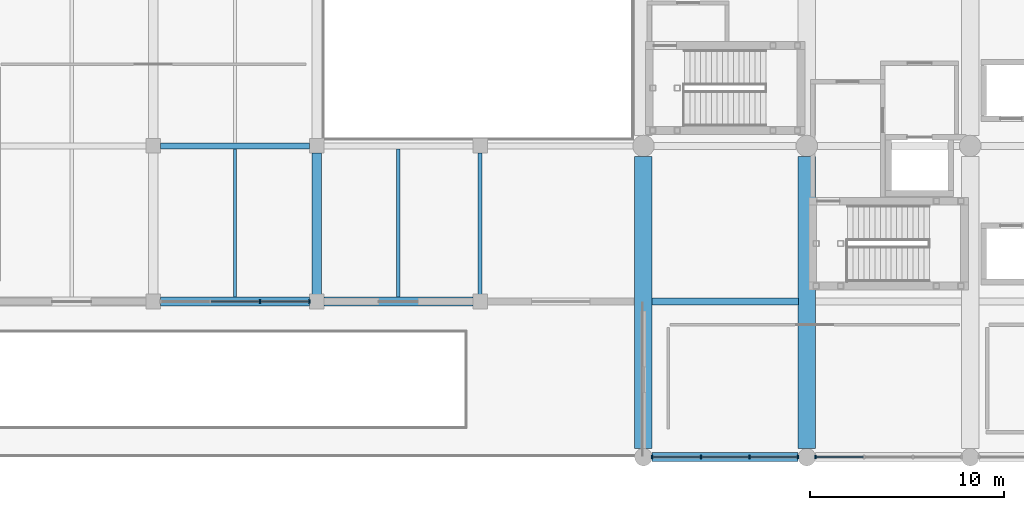
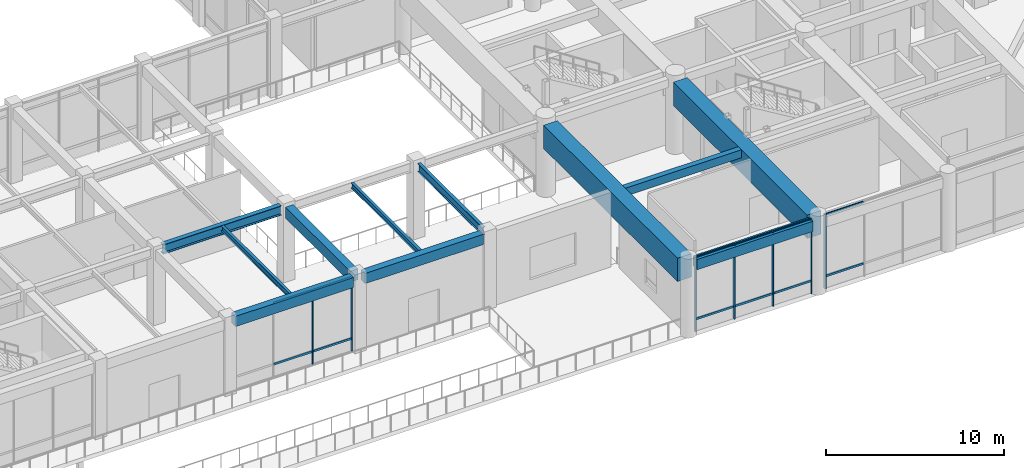
# One storey, part 25 of 79: 19 members, 11 beams, 3 elements without a shape of their own.
"""IFC4 building model written with IfcOpenShell, lengths in metres."""

from ifc_helpers import new_model, si_unit, direction, frame, origin, origin_2d, place, context, subcontext, project, spatial, rectangle, i_section, extrude, material, layer, layer_set, material_profile, profile_set, type_object, element, aggregate, save


model = new_model("IFC4")

# Units and contexts
model_context = context("Model", 3, precision=1e-05, world=origin(), true_north=direction((0.0, 1.0)))
body_context = subcontext(model_context, "Body", "Model", "MODEL_VIEW")
ifc_project = project(units=[si_unit("LENGTHUNIT", "METRE"), si_unit("AREAUNIT", "SQUARE_METRE"), si_unit("VOLUMEUNIT", "CUBIC_METRE"), si_unit("PLANEANGLEUNIT", "RADIAN"), si_unit("MASSUNIT", "GRAM", prefix="KILO")], contexts=[model_context])

# Site, building, storey
site_placement = place(None, origin())
site = spatial("IfcSite", under=ifc_project, at=site_placement, CompositionType="ELEMENT")
building_placement = place(site_placement, origin())
building = spatial("IfcBuilding", under=site, at=building_placement, Name="Naruveol Harbour Congress Hotel", CompositionType="ELEMENT")
storey_placement = place(building_placement, frame((0.0, 0.0, 6.0)))
storey = spatial("IfcBuildingStorey", under=building, at=storey_placement, Name="L01", CompositionType="ELEMENT", Elevation=6.0)

# Beams
ifc_material_1 = material(Name="Concrete C40/50", Category="concrete")
ifc_material_profile_1 = material_profile(ifc_material_1, rectangle(XDim=0.5, YDim=0.75, at=origin_2d()), Name="RCB-500x750")
ifc_profile_set_1 = profile_set([ifc_material_profile_1], Name="Concrete C40/50")
beam_type_1 = type_object("IfcBeamType", Name="RC FLOOR GIRDER 500X750", PredefinedType="BEAM", material=ifc_profile_set_1)
beam_1_placement = place(storey_placement, frame((100.800048828125, 8.37109375, 4.77490234375), z_axis=(0.0, 1.0, 0.0), x_axis=(-1.0, 0.0, 0.0)))
element("IfcBeam", 1, at=beam_1_placement, inside=storey, type_object=beam_type_1, Name="Transverse girder L02 CB3", PredefinedType="BEAM", context=body_context, shape_type="SweptSolid", body=[
    extrude(rectangle(XDim=0.5, YDim=0.75, at=origin_2d()), origin(), (0.0, 0.0, 1.0), 7.2578125),
])
ifc_material_2 = material(Name="Concrete C40/50", Category="concrete")
ifc_material_profile_2 = material_profile(ifc_material_2, rectangle(XDim=0.35009765625, YDim=0.550048828125, at=origin_2d()), Name="RCB-350x550")
ifc_profile_set_2 = profile_set([ifc_material_profile_2], Name="Concrete C40/50")
beam_type_2 = type_object("IfcBeamType", Name="RC SECONDARY BEAM 350X550", PredefinedType="JOIST", material=ifc_profile_set_2)
beam_2_placement = place(storey_placement, frame((118.041015625, 8.0, 4.77490234375), z_axis=(1.0, 0.0, 0.0), x_axis=(0.0, 1.0, 0.0)))
element("IfcBeam", 2, at=beam_2_placement, inside=storey, type_object=beam_type_2, Name="Hotel chord beam L02 CJ1", PredefinedType="JOIST", context=body_context, shape_type="SweptSolid", body=[
    extrude(rectangle(XDim=0.35009765625, YDim=0.550048828125, at=origin_2d()), origin(), (0.0, 0.0, 1.0), 7.51806640625),
])
ifc_material_3 = material(Name="Concrete C40/50", Category="concrete")
ifc_material_profile_3 = material_profile(ifc_material_3, rectangle(XDim=0.449951171875, YDim=0.699951171875, at=origin_2d()), Name="RCB-450x700")
ifc_profile_set_3 = profile_set([ifc_material_profile_3], Name="Concrete C40/50")
beam_type_3 = type_object("IfcBeamType", Name="RC SPANDREL BEAM 450X700", PredefinedType="SPANDREL", material=ifc_profile_set_3)
beam_3_placement = place(storey_placement, frame((92.77099609375, 8.0, 4.800048828125), z_axis=(1.0, 0.0, 0.0), x_axis=(0.0, 1.0, 0.0)))
element("IfcBeam", 3, at=beam_3_placement, inside=storey, type_object=beam_type_3, Name="Floor girder L02 SPB1", PredefinedType="SPANDREL", context=body_context, shape_type="SweptSolid", body=[
    extrude(rectangle(XDim=0.449951171875, YDim=0.699951171875, at=origin_2d()), origin(), (0.0, 0.0, 1.0), 7.657958984375),
])
beam_4_placement = place(storey_placement, frame((101.1708984375, 8.0, 4.800048828125), z_axis=(1.0, 0.0, 0.0), x_axis=(0.0, 1.0, 0.0)))
element("IfcBeam", 4, at=beam_4_placement, inside=storey, type_object=beam_type_3, Name="Floor girder L02 SPB1", PredefinedType="SPANDREL", context=body_context, shape_type="SweptSolid", body=[
    extrude(rectangle(XDim=0.449951171875, YDim=0.699951171875, at=origin_2d()), origin(), (0.0, 0.0, 1.0), 7.658203125),
])
beam_5_placement = place(storey_placement, frame((118.0458984375, 0.0, 4.699951171875), z_axis=(1.0, 0.0, 0.0), x_axis=(0.0, 1.0, 0.0)))
element("IfcBeam", 5, at=beam_5_placement, inside=storey, type_object=beam_type_3, Name="Hotel chord beam L02 SPB1", PredefinedType="SPANDREL", context=body_context, shape_type="SweptSolid", body=[
    extrude(rectangle(XDim=0.449951171875, YDim=0.699951171875, at=origin_2d()), origin(), (0.0, 0.0, 1.0), 7.508056640625),
])
ifc_material_4 = material(Name="Concrete C50/60", Category="concrete")
ifc_material_profile_4 = material_profile(ifc_material_4, rectangle(XDim=0.89990234375, YDim=1.60009765625, at=origin_2d()), Name="RCB-900x1600")
ifc_profile_set_4 = profile_set([ifc_material_profile_4], Name="Concrete C50/60")
beam_type_4 = type_object("IfcBeamType", Name="RC TRANSFER GIRDER 900X1600", PredefinedType="BEAM", material=ifc_profile_set_4)
for number, where, z_axis, x_axis, name in (
    (6, (117.60009765625, 0.446044921875, 4.25), (0.0, 1.0, 0.0), (-1.0, 0.0, 0.0), "Hotel L02 transfer girder S0 TG1"),
    (7, (126.0, 0.446044921875, 4.25), (0.0, 1.0, 0.0), (-1.0, 0.0, 0.0), "Hotel L02 transfer girder S1 TG1"),
):
    element("IfcBeam", number, at=place(storey_placement, frame(where, z_axis=z_axis, x_axis=x_axis)), inside=storey, type_object=beam_type_4, Name=name, PredefinedType="BEAM", context=body_context, shape_type="SweptSolid", body=[
        extrude(rectangle(XDim=0.89990234375, YDim=1.60009765625, at=origin_2d()), origin(), (0.0, 0.0, 1.0), 15.008056640625),
    ])
ifc_material_5 = material(Name="Steel SN490", Category="steel")
ifc_material_profile_5 = material_profile(ifc_material_5, i_section(OverallWidth=0.300048828125, OverallDepth=0.64990234375, WebThickness=0.012939453125, FlangeThickness=0.02392578125, at=origin_2d()), Name="H-650x300x13x24")
ifc_profile_set_5 = profile_set([ifc_material_profile_5], Name="Steel SN490")
beam_type_5 = type_object("IfcBeamType", Name="STEEL ATRIUM TIE GIRDER H650", PredefinedType="BEAM", material=ifc_profile_set_5)
beam_6_placement = place(storey_placement, frame((92.77099609375, 16.0, 4.824951171875), z_axis=(1.0, 0.0, 0.0), x_axis=(0.0, 1.0, 0.0)))
element("IfcBeam", 8, at=beam_6_placement, inside=storey, type_object=beam_type_5, Name="Floor girder L02 SG2", PredefinedType="BEAM", context=body_context, shape_type="SweptSolid", body=[
    extrude(i_section(OverallWidth=0.300048828125, OverallDepth=0.64990234375, WebThickness=0.012939453125, FlangeThickness=0.02392578125, at=origin_2d()), origin(), (0.0, 0.0, 1.0), 7.657958984375),
])
ifc_material_6 = material(Name="Steel SN490", Category="steel")
ifc_material_profile_6 = material_profile(ifc_material_6, i_section(OverallWidth=0.199951171875, OverallDepth=0.550048828125, WebThickness=0.010986328125, FlangeThickness=0.01708984375, at=origin_2d()), Name="H-550x200x11x17")
ifc_profile_set_6 = profile_set([ifc_material_profile_6], Name="Steel SN490")
beam_type_6 = type_object("IfcBeamType", Name="STEEL HALL GALLERY BEAM H550", PredefinedType="BEAM", material=ifc_profile_set_6)
beam_7_placement = place(storey_placement, frame((109.199951171875, 8.37109375, 4.875), z_axis=(0.0, 1.0, 0.0), x_axis=(-1.0, 0.0, 0.0)))
element("IfcBeam", 9, at=beam_7_placement, inside=storey, type_object=beam_type_6, Name="Transverse girder L02 SB4", PredefinedType="BEAM", context=body_context, shape_type="SweptSolid", body=[
    extrude(i_section(OverallWidth=0.199951171875, OverallDepth=0.550048828125, WebThickness=0.010986328125, FlangeThickness=0.01708984375, at=origin_2d()), origin(), (0.0, 0.0, 1.0), 7.2578125),
])
ifc_material_7 = material(Name="Steel SN490", Category="steel")
ifc_material_profile_7 = material_profile(ifc_material_7, i_section(OverallWidth=0.175048828125, OverallDepth=0.35009765625, WebThickness=0.007080078125, FlangeThickness=0.010986328125, at=origin_2d()), Name="H-350x175x7x11")
ifc_profile_set_7 = profile_set([ifc_material_profile_7], Name="Steel SN490")
beam_type_7 = type_object("IfcBeamType", Name="STEEL SECONDARY JOIST H350", PredefinedType="JOIST", material=ifc_profile_set_7)
for number, where, z_axis, x_axis, name in (
    (10, (96.60009765625, 8.220947265625, 4.97509765625), (0.0, 1.0, 0.0), (-1.0, 0.0, 0.0), "Secondary floor joist L02 SJ2"),
    (11, (105.0, 8.220947265625, 4.97509765625), (0.0, 1.0, 0.0), (-1.0, 0.0, 0.0), "Secondary floor joist L02 SJ2"),
):
    element("IfcBeam", number, at=place(storey_placement, frame(where, z_axis=z_axis, x_axis=x_axis)), inside=storey, type_object=beam_type_7, Name=name, PredefinedType="JOIST", context=body_context, shape_type="SweptSolid", body=[
        extrude(i_section(OverallWidth=0.175048828125, OverallDepth=0.35009765625, WebThickness=0.007080078125, FlangeThickness=0.010986328125, at=origin_2d()), origin(), (0.0, 0.0, 1.0), 7.633056640625),
    ])

# Curtain wall, members
ifc_material_8 = material(Name="Low-E Curtain Wall System", Category="glass")
ifc_layer_1 = layer(ifc_material_8, 0.179931640625)
ifc_layer_set_1 = layer_set([ifc_layer_1], Name="Low-E Curtain Wall System")
curtain_wall_type_1 = type_object("IfcCurtainWallType", Name="UNITISED CURTAIN WALL CW-V4S-30 7650X5100", PredefinedType="USERDEFINED", material=ifc_layer_set_1)
curtain_wall_1_placement = place(storey_placement, origin())
curtain_wall_1 = element("IfcCurtainWall", 12, at=curtain_wall_1_placement, inside=storey, type_object=curtain_wall_type_1, Name="Unitised curtain wall CW-V4S-30 L01", ObjectType="UNITISED GLAZING", PredefinedType="USERDEFINED")
ifc_material_9 = material(Name="Anodised Aluminium 6063-T6", Category="aluminium")
ifc_material_profile_8 = material_profile(ifc_material_9, rectangle(XDim=0.074951171875, YDim=0.179931640625, at=origin_2d()), Name="ALU-75x180")
ifc_profile_set_8 = profile_set([ifc_material_profile_8], Name="Anodised Aluminium 6063-T6")
member_type_1 = type_object("IfcMemberType", Name="THERMAL ALUMINIUM MULLION 75X180", PredefinedType="MULLION", material=ifc_profile_set_8)
member_1_placement = place(storey_placement, frame((100.425048828125, 8.0, 0.0), z_axis=(0.0, 0.0, 1.0), x_axis=(1.0, 0.0, 0.0)))
member_1 = element("IfcMember", 13, at=member_1_placement, type_object=member_type_1, Name="Curtain wall mullion CW-L01-0071-M0", PredefinedType="MULLION", context=body_context, shape_type="SweptSolid", body=[
    extrude(rectangle(XDim=0.074951171875, YDim=0.179931640625, at=origin_2d()), origin(), (0.0, 0.0, 1.0), 5.10009765625),
])
member_2_placement = place(storey_placement, frame((97.875, 8.0, 0.0), z_axis=(0.0, 0.0, 1.0), x_axis=(1.0, 0.0, 0.0)))
member_2 = element("IfcMember", 14, at=member_2_placement, type_object=member_type_1, Name="Curtain wall mullion CW-L01-0071-M1", PredefinedType="MULLION", context=body_context, shape_type="SweptSolid", body=[
    extrude(rectangle(XDim=0.074951171875, YDim=0.179931640625, at=origin_2d()), origin(), (0.0, 0.0, 1.0), 5.10009765625),
])

ifc_material_10 = material(Name="Low-E Curtain Wall System", Category="glass")
ifc_layer_2 = layer(ifc_material_10, 0.179931640625)
ifc_layer_set_2 = layer_set([ifc_layer_2], Name="Low-E Curtain Wall System")
curtain_wall_type_2 = type_object("IfcCurtainWallType", Name="UNITISED CURTAIN WALL CW-V5S-50 7500X5120", PredefinedType="USERDEFINED", material=ifc_layer_set_2)
curtain_wall_2_placement = place(storey_placement, origin())
curtain_wall_2 = element("IfcCurtainWall", 15, at=curtain_wall_2_placement, inside=storey, type_object=curtain_wall_type_2, Name="Unitised curtain wall CW-V5S-50 L01", ObjectType="UNITISED GLAZING", PredefinedType="USERDEFINED")
member_3_placement = place(storey_placement, frame((125.550048828125, 0.0, 0.0), z_axis=(0.0, 0.0, 1.0), x_axis=(1.0, 0.0, 0.0)))
member_3 = element("IfcMember", 16, at=member_3_placement, type_object=member_type_1, Name="Curtain wall mullion CW-L01-0136-M0", PredefinedType="MULLION", context=body_context, shape_type="SweptSolid", body=[
    extrude(rectangle(XDim=0.074951171875, YDim=0.179931640625, at=origin_2d()), origin(), (0.0, 0.0, 1.0), 5.1201171875),
])
member_4_placement = place(storey_placement, frame((123.050048828125, 0.0, 0.0), z_axis=(0.0, 0.0, 1.0), x_axis=(1.0, 0.0, 0.0)))
member_4 = element("IfcMember", 17, at=member_4_placement, type_object=member_type_1, Name="Curtain wall mullion CW-L01-0136-M1", PredefinedType="MULLION", context=body_context, shape_type="SweptSolid", body=[
    extrude(rectangle(XDim=0.074951171875, YDim=0.179931640625, at=origin_2d()), origin(), (0.0, 0.0, 1.0), 5.1201171875),
])
member_5_placement = place(storey_placement, frame((120.550048828125, 0.0, 0.0), z_axis=(0.0, 0.0, 1.0), x_axis=(1.0, 0.0, 0.0)))
member_5 = element("IfcMember", 18, at=member_5_placement, type_object=member_type_1, Name="Curtain wall mullion CW-L01-0136-M2", PredefinedType="MULLION", context=body_context, shape_type="SweptSolid", body=[
    extrude(rectangle(XDim=0.074951171875, YDim=0.179931640625, at=origin_2d()), origin(), (0.0, 0.0, 1.0), 5.1201171875),
])
member_6_placement = place(storey_placement, frame((118.050048828125, 0.0, 0.0), z_axis=(0.0, 0.0, 1.0), x_axis=(1.0, 0.0, 0.0)))
member_6 = element("IfcMember", 19, at=member_6_placement, type_object=member_type_1, Name="Curtain wall mullion CW-L01-0136-M3", PredefinedType="MULLION", context=body_context, shape_type="SweptSolid", body=[
    extrude(rectangle(XDim=0.074951171875, YDim=0.179931640625, at=origin_2d()), origin(), (0.0, 0.0, 1.0), 5.1201171875),
])

# Curtain wall, member
curtain_wall_3_placement = place(storey_placement, origin())
curtain_wall_3 = element("IfcCurtainWall", 20, at=curtain_wall_3_placement, inside=storey, type_object=curtain_wall_type_2, Name="Unitised curtain wall CW-V5S-50 L01", ObjectType="UNITISED GLAZING", PredefinedType="USERDEFINED")
member_7_placement = place(storey_placement, frame((126.449951171875, 0.0, 0.0), z_axis=(0.0, 0.0, 1.0), x_axis=(1.0, 0.0, 0.0)))
member_7 = element("IfcMember", 21, at=member_7_placement, type_object=member_type_1, Name="Curtain wall mullion CW-L01-0137-M3", PredefinedType="MULLION", context=body_context, shape_type="SweptSolid", body=[
    extrude(rectangle(XDim=0.074951171875, YDim=0.179931640625, at=origin_2d()), origin(), (0.0, 0.0, 1.0), 5.1201171875),
])

# Member
ifc_material_11 = material(Name="Anodised Aluminium 6063-T6", Category="aluminium")
ifc_material_profile_9 = material_profile(ifc_material_11, rectangle(XDim=0.074951171875, YDim=0.14990234375, at=origin_2d()), Name="ALU-75x150")
ifc_profile_set_9 = profile_set([ifc_material_profile_9], Name="Anodised Aluminium 6063-T6")
member_type_2 = type_object("IfcMemberType", Name="THERMAL ALUMINIUM TRANSOM 75X150", PredefinedType="USERDEFINED", material=ifc_profile_set_9)
member_8_placement = place(storey_placement, frame((100.385009765625, 8.0, 0.85009765625), z_axis=(-1.0, 0.0, 0.0), x_axis=(0.0, -1.0, 0.0)))
member_8 = element("IfcMember", 22, at=member_8_placement, type_object=member_type_2, Name="Curtain wall transom CW-L01-0071-T0.1", ObjectType="TRANSOM", PredefinedType="USERDEFINED", context=body_context, shape_type="SweptSolid", body=[
    extrude(rectangle(XDim=0.074951171875, YDim=0.14990234375, at=origin_2d()), origin(), (0.0, 0.0, 1.0), 2.469970703125),
])

member_9_placement = place(storey_placement, frame((100.385009765625, 8.0, 5.02001953125), z_axis=(-1.0, 0.0, 0.0), x_axis=(0.0, -1.0, 0.0)))
member_9 = element("IfcMember", 23, at=member_9_placement, type_object=member_type_2, Name="Curtain wall transom CW-L01-0071-T0.2", ObjectType="TRANSOM", PredefinedType="USERDEFINED", context=body_context, shape_type="SweptSolid", body=[
    extrude(rectangle(XDim=0.074951171875, YDim=0.14990234375, at=origin_2d()), origin(), (0.0, 0.0, 1.0), 2.469970703125),
])

member_10_placement = place(storey_placement, frame((97.8349609375, 8.0, 0.85009765625), z_axis=(-1.0, 0.0, 0.0), x_axis=(0.0, -1.0, 0.0)))
member_10 = element("IfcMember", 24, at=member_10_placement, type_object=member_type_2, Name="Curtain wall transom CW-L01-0071-T1.1", ObjectType="TRANSOM", PredefinedType="USERDEFINED", context=body_context, shape_type="SweptSolid", body=[
    extrude(rectangle(XDim=0.074951171875, YDim=0.14990234375, at=origin_2d()), origin(), (0.0, 0.0, 1.0), 2.469970703125),
])

member_11_placement = place(storey_placement, frame((97.8349609375, 8.0, 5.02001953125), z_axis=(-1.0, 0.0, 0.0), x_axis=(0.0, -1.0, 0.0)))
member_11 = element("IfcMember", 25, at=member_11_placement, type_object=member_type_2, Name="Curtain wall transom CW-L01-0071-T1.2", ObjectType="TRANSOM", PredefinedType="USERDEFINED", context=body_context, shape_type="SweptSolid", body=[
    extrude(rectangle(XDim=0.074951171875, YDim=0.14990234375, at=origin_2d()), origin(), (0.0, 0.0, 1.0), 2.469970703125),
])

aggregate(curtain_wall_1, [member_1, member_2, member_8, member_9, member_10, member_11])

member_12_placement = place(storey_placement, frame((125.510009765625, 0.0, 0.85009765625), z_axis=(-1.0, 0.0, 0.0), x_axis=(0.0, -1.0, 0.0)))
member_12 = element("IfcMember", 26, at=member_12_placement, type_object=member_type_2, Name="Curtain wall transom CW-L01-0136-T0.1", ObjectType="TRANSOM", PredefinedType="USERDEFINED", context=body_context, shape_type="SweptSolid", body=[
    extrude(rectangle(XDim=0.074951171875, YDim=0.14990234375, at=origin_2d()), origin(), (0.0, 0.0, 1.0), 2.419921875),
])

member_13_placement = place(storey_placement, frame((125.510009765625, 0.0, 5.0400390625), z_axis=(-1.0, 0.0, 0.0), x_axis=(0.0, -1.0, 0.0)))
member_13 = element("IfcMember", 27, at=member_13_placement, type_object=member_type_2, Name="Curtain wall transom CW-L01-0136-T0.2", ObjectType="TRANSOM", PredefinedType="USERDEFINED", context=body_context, shape_type="SweptSolid", body=[
    extrude(rectangle(XDim=0.074951171875, YDim=0.14990234375, at=origin_2d()), origin(), (0.0, 0.0, 1.0), 2.419921875),
])

member_14_placement = place(storey_placement, frame((123.010009765625, 0.0, 0.85009765625), z_axis=(-1.0, 0.0, 0.0), x_axis=(0.0, -1.0, 0.0)))
member_14 = element("IfcMember", 28, at=member_14_placement, type_object=member_type_2, Name="Curtain wall transom CW-L01-0136-T1.1", ObjectType="TRANSOM", PredefinedType="USERDEFINED", context=body_context, shape_type="SweptSolid", body=[
    extrude(rectangle(XDim=0.074951171875, YDim=0.14990234375, at=origin_2d()), origin(), (0.0, 0.0, 1.0), 2.419921875),
])

member_15_placement = place(storey_placement, frame((123.010009765625, 0.0, 5.0400390625), z_axis=(-1.0, 0.0, 0.0), x_axis=(0.0, -1.0, 0.0)))
member_15 = element("IfcMember", 29, at=member_15_placement, type_object=member_type_2, Name="Curtain wall transom CW-L01-0136-T1.2", ObjectType="TRANSOM", PredefinedType="USERDEFINED", context=body_context, shape_type="SweptSolid", body=[
    extrude(rectangle(XDim=0.074951171875, YDim=0.14990234375, at=origin_2d()), origin(), (0.0, 0.0, 1.0), 2.419921875),
])

member_16_placement = place(storey_placement, frame((120.510009765625, 0.0, 0.85009765625), z_axis=(-1.0, 0.0, 0.0), x_axis=(0.0, -1.0, 0.0)))
member_16 = element("IfcMember", 30, at=member_16_placement, type_object=member_type_2, Name="Curtain wall transom CW-L01-0136-T2.1", ObjectType="TRANSOM", PredefinedType="USERDEFINED", context=body_context, shape_type="SweptSolid", body=[
    extrude(rectangle(XDim=0.074951171875, YDim=0.14990234375, at=origin_2d()), origin(), (0.0, 0.0, 1.0), 2.419921875),
])

member_17_placement = place(storey_placement, frame((120.510009765625, 0.0, 5.0400390625), z_axis=(-1.0, 0.0, 0.0), x_axis=(0.0, -1.0, 0.0)))
member_17 = element("IfcMember", 31, at=member_17_placement, type_object=member_type_2, Name="Curtain wall transom CW-L01-0136-T2.2", ObjectType="TRANSOM", PredefinedType="USERDEFINED", context=body_context, shape_type="SweptSolid", body=[
    extrude(rectangle(XDim=0.074951171875, YDim=0.14990234375, at=origin_2d()), origin(), (0.0, 0.0, 1.0), 2.419921875),
])

aggregate(curtain_wall_2, [member_3, member_4, member_5, member_6, member_12, member_13, member_14, member_15, member_16, member_17])

member_18_placement = place(storey_placement, frame((128.909912109375, 0.0, 0.85009765625), z_axis=(-1.0, 0.0, 0.0), x_axis=(0.0, -1.0, 0.0)))
member_18 = element("IfcMember", 32, at=member_18_placement, type_object=member_type_2, Name="Curtain wall transom CW-L01-0137-T2.1", ObjectType="TRANSOM", PredefinedType="USERDEFINED", context=body_context, shape_type="SweptSolid", body=[
    extrude(rectangle(XDim=0.074951171875, YDim=0.14990234375, at=origin_2d()), origin(), (0.0, 0.0, 1.0), 2.419921875),
])

member_19_placement = place(storey_placement, frame((128.909912109375, 0.0, 5.0400390625), z_axis=(-1.0, 0.0, 0.0), x_axis=(0.0, -1.0, 0.0)))
member_19 = element("IfcMember", 33, at=member_19_placement, type_object=member_type_2, Name="Curtain wall transom CW-L01-0137-T2.2", ObjectType="TRANSOM", PredefinedType="USERDEFINED", context=body_context, shape_type="SweptSolid", body=[
    extrude(rectangle(XDim=0.074951171875, YDim=0.14990234375, at=origin_2d()), origin(), (0.0, 0.0, 1.0), 2.419921875),
])

aggregate(curtain_wall_3, [member_7, member_18, member_19])

save(model, "model.ifc")
